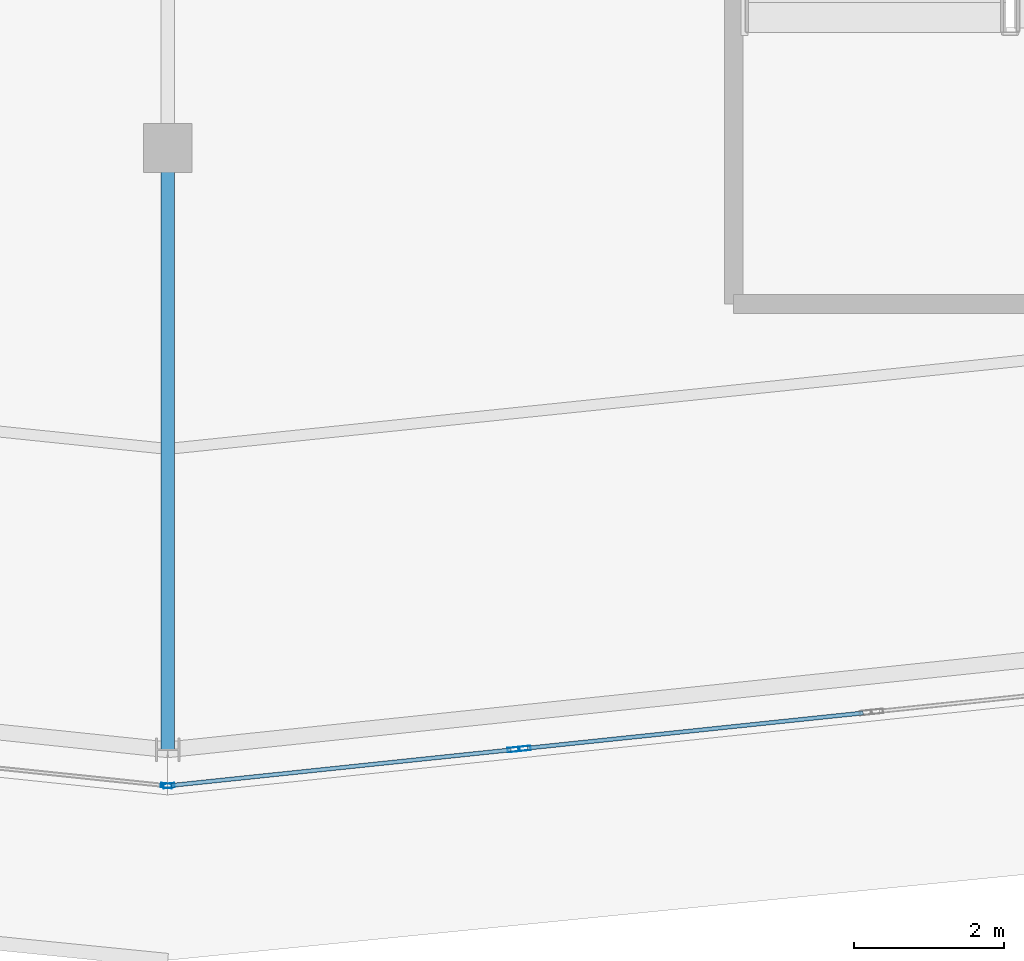
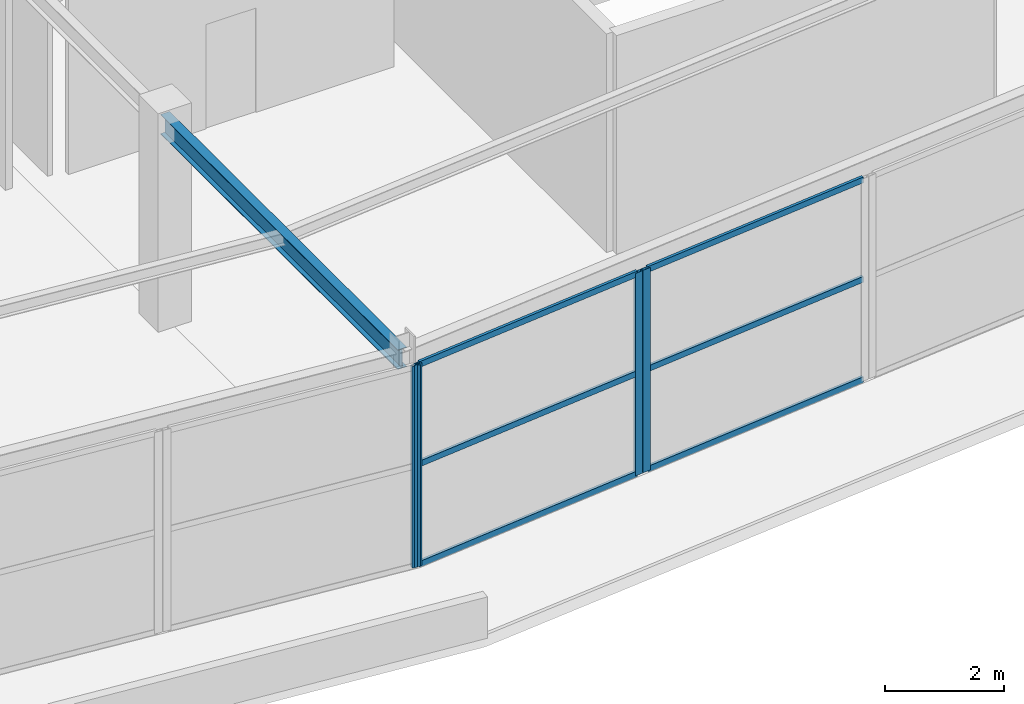
# One storey, part 37 of 126: 10 members, 1 beam, 3 elements without a shape of their own.
"""IFC4 building model written with IfcOpenShell, lengths in metres."""

from ifc_helpers import new_model, si_unit, direction, frame, origin, origin_2d, place, context, subcontext, project, spatial, hollow_rectangle, i_section, extrude, material, layer, layer_set, material_profile, profile_set, type_object, element, aggregate, save


model = new_model("IFC4")

# Units and contexts
model_context = context("Model", 3, precision=1e-05, world=origin(), true_north=direction((0.0, 1.0)))
body_context = subcontext(model_context, "Body", "Model", "MODEL_VIEW")
ifc_project = project(units=[si_unit("LENGTHUNIT", "METRE"), si_unit("AREAUNIT", "SQUARE_METRE"), si_unit("VOLUMEUNIT", "CUBIC_METRE"), si_unit("PLANEANGLEUNIT", "RADIAN"), si_unit("MASSUNIT", "GRAM", prefix="KILO")], contexts=[model_context])

# Site, building, storey
site_placement = place(None, origin())
site = spatial("IfcSite", under=ifc_project, at=site_placement, CompositionType="ELEMENT")
building_placement = place(site_placement, origin())
building = spatial("IfcBuilding", under=site, at=building_placement, Name="Kalgoora Escarpment Arena", CompositionType="ELEMENT")
storey_placement = place(building_placement, frame((0.0, 0.0, 18.89990234375)))
storey = spatial("IfcBuildingStorey", under=building, at=storey_placement, Name="L04", CompositionType="ELEMENT", Elevation=18.89990234375)

# Beam
ifc_material_1 = material(Name="Structural steel AS/NZS 3679 (300 MPa)", Category="steel")
ifc_material_profile_1 = material_profile(ifc_material_1, i_section(OverallWidth=0.177978515625, OverallDepth=0.406005859375, WebThickness=0.0078125, FlangeThickness=0.0126953125, at=origin_2d()))
ifc_profile_set_1 = profile_set([ifc_material_profile_1], Name="Structural steel AS/NZS 3679 (300 MPa)")
beam_type = type_object("IfcBeamType", Name="BM-GIRDER-410UB59.7", PredefinedType="USERDEFINED", material=ifc_profile_set_1)
beam_placement = place(storey_placement, frame((92.39990234375, 15.0, 4.007080078125), z_axis=(0.0, -1.0, 0.0), x_axis=(1.0, 0.0, 0.0)))
element("IfcBeam", 1, at=beam_placement, inside=storey, type_object=beam_type, Name="L04 Radial concourse girder 410UB59.7", ObjectType="GIRDER", PredefinedType="USERDEFINED", context=body_context, shape_type="SweptSolid", body=[
    extrude(i_section(OverallWidth=0.177978515625, OverallDepth=0.406005859375, WebThickness=0.0078125, FlangeThickness=0.0126953125, at=origin_2d()), origin(), (0.0, 0.0, 1.0), 8.0),
])

# Curtain wall, member
ifc_material_2 = material(Name=" Champagne anodised aluminium & double-glazed low-E", Category="aluminium")
ifc_layer_1 = layer(ifc_material_2, 0.162109375)
ifc_layer_set_1 = layer_set([ifc_layer_1], Name="CW-UNIT-13")
curtain_wall_type_1 = type_object("IfcCurtainWallType", Name="CW-UNIT-13", PredefinedType="NOTDEFINED", material=ifc_layer_set_1)
curtain_wall_1_placement = place(storey_placement, origin())
curtain_wall_1 = element("IfcCurtainWall", 2, at=curtain_wall_1_placement, inside=storey, type_object=curtain_wall_type_1, Name="L04 unitised facade curtain wall 112", PredefinedType="NOTDEFINED")
ifc_material_3 = material(Name="Anodised aluminium 6063-T6", Category="aluminium")
ifc_material_profile_2 = material_profile(ifc_material_3, hollow_rectangle(XDim=0.06005859375, YDim=0.14990234375, WallThickness=0.00341796875, at=origin_2d()))
ifc_profile_set_2 = profile_set([ifc_material_profile_2], Name="Anodised aluminium 6063-T6")
member_type_1 = type_object("IfcMemberType", Name="MEM-CW-MULL-150", PredefinedType="MULLION", material=ifc_profile_set_2)
member_1_placement = place(storey_placement, frame((97.15185546875, 7.018310546875, 0.02001953125), z_axis=(0.0, 0.0, 1.0), x_axis=(0.104182310405, -0.994558216596, 0.0)))
member_1 = element("IfcMember", 3, at=member_1_placement, type_object=member_type_1, Name="CW-13 mullion 2", PredefinedType="MULLION", context=body_context, shape_type="SweptSolid", body=[
    extrude(hollow_rectangle(XDim=0.06005859375, YDim=0.14990234375, WallThickness=0.00341796875, at=origin_2d()), origin(), (0.0, 0.0, 1.0), 4.170166015625),
])

# Curtain wall, members
ifc_material_4 = material(Name=" Champagne anodised aluminium & double-glazed low-E", Category="aluminium")
ifc_layer_2 = layer(ifc_material_4, 0.166015625)
ifc_layer_set_2 = layer_set([ifc_layer_2], Name="CW-UNIT-14")
curtain_wall_type_2 = type_object("IfcCurtainWallType", Name="CW-UNIT-14", PredefinedType="NOTDEFINED", material=ifc_layer_set_2)
curtain_wall_2_placement = place(storey_placement, origin())
curtain_wall_2 = element("IfcCurtainWall", 4, at=curtain_wall_2_placement, inside=storey, type_object=curtain_wall_type_2, Name="L04 unitised facade curtain wall 113", PredefinedType="NOTDEFINED")
member_2_placement = place(storey_placement, frame((96.99267578125, 7.001708984375, 0.02001953125), z_axis=(0.0, 0.0, 1.0), x_axis=(0.104178772797, -0.994558587162, 0.0)))
member_2 = element("IfcMember", 5, at=member_2_placement, type_object=member_type_1, Name="CW-14 mullion 1", PredefinedType="MULLION", context=body_context, shape_type="SweptSolid", body=[
    extrude(hollow_rectangle(XDim=0.06005859375, YDim=0.14990234375, WallThickness=0.00341796875, at=origin_2d()), origin(), (0.0, 0.0, 1.0), 4.170166015625),
])
member_3_placement = place(storey_placement, frame((92.417236328125, 6.5224609375, 0.02001953125), z_axis=(0.0, 0.0, 1.0), x_axis=(0.104178772797, -0.994558587162, 0.0)))
member_3 = element("IfcMember", 6, at=member_3_placement, type_object=member_type_1, Name="CW-14 mullion 2", PredefinedType="MULLION", context=body_context, shape_type="SweptSolid", body=[
    extrude(hollow_rectangle(XDim=0.06005859375, YDim=0.14990234375, WallThickness=0.00341796875, at=origin_2d()), origin(), (0.0, 0.0, 1.0), 4.170166015625),
])

# Curtain wall, member
ifc_material_5 = material(Name=" Champagne anodised aluminium & double-glazed low-E", Category="aluminium")
ifc_layer_3 = layer(ifc_material_5, 0.14990234375)
ifc_layer_set_3 = layer_set([ifc_layer_3], Name="CW-UNIT-15")
curtain_wall_type_3 = type_object("IfcCurtainWallType", Name="CW-UNIT-15", PredefinedType="NOTDEFINED", material=ifc_layer_set_3)
curtain_wall_3_placement = place(storey_placement, origin())
curtain_wall_3 = element("IfcCurtainWall", 7, at=curtain_wall_3_placement, inside=storey, type_object=curtain_wall_type_3, Name="L04 unitised facade curtain wall 114", PredefinedType="NOTDEFINED")
member_4_placement = place(storey_placement, frame((92.382568359375, 6.5224609375, 0.02001953125), z_axis=(0.0, 0.0, 1.0), x_axis=(-0.104178772797, -0.994558587162, 0.0)))
member_4 = element("IfcMember", 8, at=member_4_placement, type_object=member_type_1, Name="CW-15 mullion 1", PredefinedType="MULLION", context=body_context, shape_type="SweptSolid", body=[
    extrude(hollow_rectangle(XDim=0.06005859375, YDim=0.14990234375, WallThickness=0.00341796875, at=origin_2d()), origin(), (0.0, 0.0, 1.0), 4.150146484375),
])
aggregate(curtain_wall_3, [member_4])

# Member
ifc_material_6 = material(Name="Anodised aluminium 6063-T6", Category="aluminium")
ifc_material_profile_3 = material_profile(ifc_material_6, hollow_rectangle(XDim=0.054931640625, YDim=0.1201171875, WallThickness=0.003173828125, at=origin_2d()))
ifc_profile_set_3 = profile_set([ifc_material_profile_3], Name="Anodised aluminium 6063-T6")
member_type_2 = type_object("IfcMemberType", Name="MEM-CW-TRAN-120", PredefinedType="USERDEFINED", material=ifc_profile_set_3)
member_5_placement = place(storey_placement, frame((101.647216796875, 7.4892578125, 0.047607421875), z_axis=(-0.994558358763, -0.104180953222, 0.0), x_axis=(0.104180953222, -0.994558358763, 0.0)))
member_5 = element("IfcMember", 9, at=member_5_placement, type_object=member_type_2, Name="CW-13 transom 1.1", ObjectType="TRANSOM", PredefinedType="USERDEFINED", context=body_context, shape_type="SweptSolid", body=[
    extrude(hollow_rectangle(XDim=0.054931640625, YDim=0.1201171875, WallThickness=0.003173828125, at=origin_2d()), origin(), (0.0, 0.0, 1.0), 4.489990234375),
])

member_6_placement = place(storey_placement, frame((101.647216796875, 7.4892578125, 2.114990234375), z_axis=(-0.994558358763, -0.104180953222, 0.0), x_axis=(0.104180953222, -0.994558358763, 0.0)))
member_6 = element("IfcMember", 10, at=member_6_placement, type_object=member_type_2, Name="CW-13 transom 1.2", ObjectType="TRANSOM", PredefinedType="USERDEFINED", context=body_context, shape_type="SweptSolid", body=[
    extrude(hollow_rectangle(XDim=0.054931640625, YDim=0.1201171875, WallThickness=0.003173828125, at=origin_2d()), origin(), (0.0, 0.0, 1.0), 4.489990234375),
])

member_7_placement = place(storey_placement, frame((101.647216796875, 7.4892578125, 4.16259765625), z_axis=(-0.994558358763, -0.104180953222, 0.0), x_axis=(0.104180953222, -0.994558358763, 0.0)))
member_7 = element("IfcMember", 11, at=member_7_placement, type_object=member_type_2, Name="CW-13 transom 1.3", ObjectType="TRANSOM", PredefinedType="USERDEFINED", context=body_context, shape_type="SweptSolid", body=[
    extrude(hollow_rectangle(XDim=0.054931640625, YDim=0.1201171875, WallThickness=0.003173828125, at=origin_2d()), origin(), (0.0, 0.0, 1.0), 4.489990234375),
])

aggregate(curtain_wall_1, [member_1, member_5, member_6, member_7])

member_8_placement = place(storey_placement, frame((96.962646484375, 6.99853515625, 0.047607421875), z_axis=(-0.994560415666, -0.104161315228, 0.0), x_axis=(0.104161315228, -0.994560415666, 0.0)))
member_8 = element("IfcMember", 12, at=member_8_placement, type_object=member_type_2, Name="CW-14 transom 1.1", ObjectType="TRANSOM", PredefinedType="USERDEFINED", context=body_context, shape_type="SweptSolid", body=[
    extrude(hollow_rectangle(XDim=0.054931640625, YDim=0.1201171875, WallThickness=0.003173828125, at=origin_2d()), origin(), (0.0, 0.0, 1.0), 4.5400390625),
])

member_9_placement = place(storey_placement, frame((96.962646484375, 6.99853515625, 2.114990234375), z_axis=(-0.994560415666, -0.104161315228, 0.0), x_axis=(0.104161315228, -0.994560415666, 0.0)))
member_9 = element("IfcMember", 13, at=member_9_placement, type_object=member_type_2, Name="CW-14 transom 1.2", ObjectType="TRANSOM", PredefinedType="USERDEFINED", context=body_context, shape_type="SweptSolid", body=[
    extrude(hollow_rectangle(XDim=0.054931640625, YDim=0.1201171875, WallThickness=0.003173828125, at=origin_2d()), origin(), (0.0, 0.0, 1.0), 4.5400390625),
])

member_10_placement = place(storey_placement, frame((96.962646484375, 6.99853515625, 4.16259765625), z_axis=(-0.994560415666, -0.104161315228, 0.0), x_axis=(0.104161315228, -0.994560415666, 0.0)))
member_10 = element("IfcMember", 14, at=member_10_placement, type_object=member_type_2, Name="CW-14 transom 1.3", ObjectType="TRANSOM", PredefinedType="USERDEFINED", context=body_context, shape_type="SweptSolid", body=[
    extrude(hollow_rectangle(XDim=0.054931640625, YDim=0.1201171875, WallThickness=0.003173828125, at=origin_2d()), origin(), (0.0, 0.0, 1.0), 4.5400390625),
])

aggregate(curtain_wall_2, [member_2, member_3, member_8, member_9, member_10])

save(model, "model.ifc")
